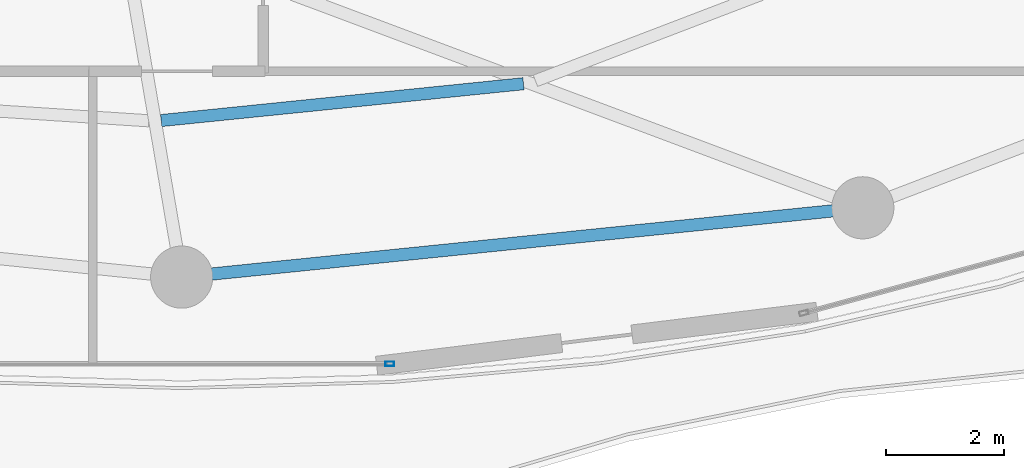
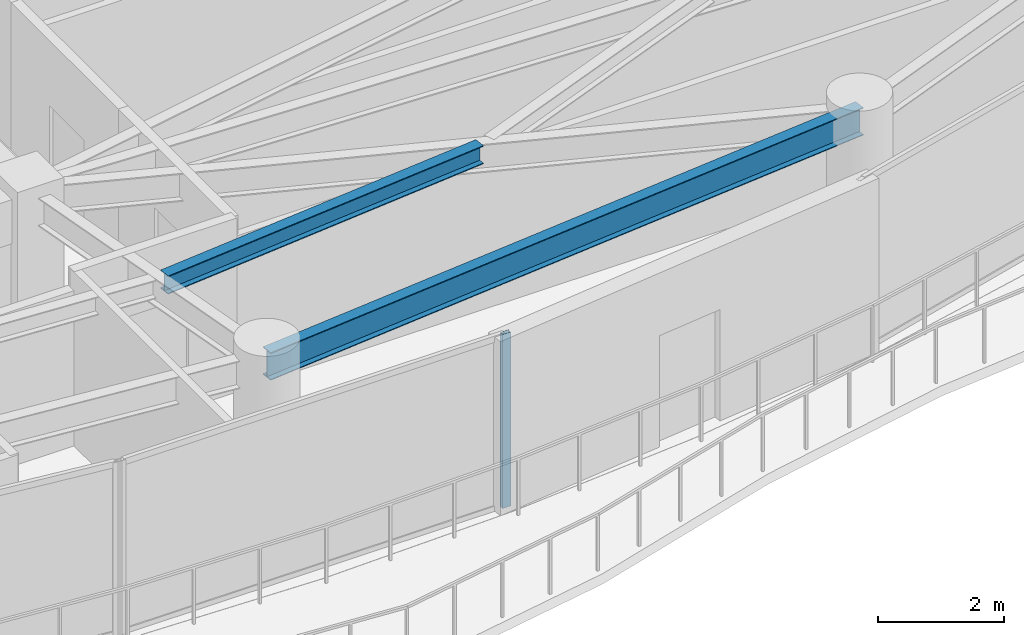
# One storey, part 10 of 31: 2 beams, 1 member, 1 element without a shape of its own.
"""IFC4 building model written with IfcOpenShell, lengths in metres."""

from ifc_helpers import new_model, si_unit, direction, frame, origin, origin_2d, place, context, subcontext, project, spatial, hollow_rectangle, i_section, extrude, material, layer, layer_set, material_profile, profile_set, type_object, element, aggregate, save


model = new_model("IFC4")

# Units and contexts
model_context = context("Model", 3, precision=1e-05, world=origin(), true_north=direction((0.0, 1.0)))
body_context = subcontext(model_context, "Body", "Model", "MODEL_VIEW")
ifc_project = project(units=[si_unit("LENGTHUNIT", "METRE"), si_unit("AREAUNIT", "SQUARE_METRE"), si_unit("VOLUMEUNIT", "CUBIC_METRE"), si_unit("PLANEANGLEUNIT", "RADIAN"), si_unit("MASSUNIT", "GRAM", prefix="KILO")], contexts=[model_context])

# Site, building, storey
site_placement = place(None, origin())
site = spatial("IfcSite", under=ifc_project, at=site_placement, CompositionType="ELEMENT")
building_placement = place(site_placement, origin())
building = spatial("IfcBuilding", under=site, at=building_placement, Name="Kazevale Care Tower and Concert Hall", CompositionType="ELEMENT")
storey_placement = place(building_placement, frame((0.0, 0.0, 206.39990234375)))
storey = spatial("IfcBuildingStorey", under=building, at=storey_placement, Name="L54", CompositionType="ELEMENT", Elevation=206.39990234375)

# Curtain wall, member
ifc_material_1 = material(Name="Aluminium 6063-T6 and Low-E Glass", Category="aluminium")
ifc_layer = layer(ifc_material_1, 0.179931640625)
ifc_layer_set = layer_set([ifc_layer], Name="Aluminium 6063-T6 and Low-E Glass")
curtain_wall_type = type_object("IfcCurtainWallType", Name="Sheltered Concave Balcony Curtain Wall CW-5", PredefinedType="NOTDEFINED", material=ifc_layer_set)
curtain_wall_placement = place(storey_placement, origin())
curtain_wall = element("IfcCurtainWall", 1, at=curtain_wall_placement, inside=storey, type_object=curtain_wall_type, Name="cw:L54:f06", PredefinedType="NOTDEFINED")
ifc_material_2 = material(Name="Aluminium 6063-T6", Category="aluminium")
ifc_material_profile_1 = material_profile(ifc_material_2, hollow_rectangle(XDim=0.074951171875, YDim=0.14990234375, WallThickness=0.00390625, at=origin_2d()), Name="ALU75x150x4")
ifc_profile_set_1 = profile_set([ifc_material_profile_1], Name="Aluminium 6063-T6")
member_type = type_object("IfcMemberType", Name="CW-5 Mullion ALU75x150x4", PredefinedType="MULLION", material=ifc_profile_set_1)
member_placement = place(storey_placement, frame((48.512451171875, 16.284912109375, 0.0), z_axis=(0.0, 0.0, 1.0), x_axis=(0.0, -1.0, 0.0)))
member = element("IfcMember", 2, at=member_placement, type_object=member_type, Name="CW-5 mullion 1", PredefinedType="MULLION", context=body_context, shape_type="SweptSolid", body=[
    extrude(hollow_rectangle(XDim=0.074951171875, YDim=0.14990234375, WallThickness=0.00390625, at=origin_2d()), origin(), (0.0, 0.0, 1.0), 3.360107421875),
])
aggregate(curtain_wall, [member])

# Beams
ifc_material_3 = material(Name="Steel ASTM A572 Gr 50", Category="steel")
ifc_material_profile_2 = material_profile(ifc_material_3, i_section(OverallWidth=0.205078125, OverallDepth=0.35400390625, WebThickness=0.009521484375, FlangeThickness=0.016845703125, at=origin_2d()), Name="W360x79")
ifc_profile_set_2 = profile_set([ifc_material_profile_2], Name="Steel ASTM A572 Gr 50")
beam_type_1 = type_object("IfcBeamType", Name="Secondary Floor Joist W360x79", PredefinedType="JOIST", material=ifc_profile_set_2)
beam_1_placement = place(storey_placement, frame((44.654052734375, 20.39306640625, 3.18310546875), z_axis=(0.994872697807, 0.10113513316, 0.0), x_axis=(-0.10113513316, 0.994872697807, 0.0)))
element("IfcBeam", 3, at=beam_1_placement, inside=storey, type_object=beam_type_1, Name="beam:L54:joist:13", PredefinedType="JOIST", context=body_context, shape_type="SweptSolid", body=[
    extrude(i_section(OverallWidth=0.205078125, OverallDepth=0.35400390625, WebThickness=0.009521484375, FlangeThickness=0.016845703125, at=origin_2d()), origin(), (0.0, 0.0, 1.0), 6.1484375),
])
ifc_material_profile_3 = material_profile(ifc_material_3, i_section(OverallWidth=0.208984375, OverallDepth=0.532958984375, WebThickness=0.01025390625, FlangeThickness=0.015625, at=origin_2d()), Name="W530x92")
ifc_profile_set_3 = profile_set([ifc_material_profile_3], Name="Steel ASTM A572 Gr 50")
beam_type_2 = type_object("IfcBeamType", Name="Upper Ring Beam W530x92", PredefinedType="BEAM", material=ifc_profile_set_3)
beam_2_placement = place(storey_placement, frame((45.0, 17.75, 3.093505859375), z_axis=(0.994865089307, 0.101209950492, 0.0), x_axis=(-0.101209950492, 0.994865089307, 0.0)))
element("IfcBeam", 4, at=beam_2_placement, inside=storey, type_object=beam_type_2, Name="beam:L54:ring:13", PredefinedType="BEAM", context=body_context, shape_type="SweptSolid", body=[
    extrude(i_section(OverallWidth=0.208984375, OverallDepth=0.532958984375, WebThickness=0.01025390625, FlangeThickness=0.015625, at=origin_2d()), origin(), (0.0, 0.0, 1.0), 11.559326171875),
])

save(model, "model.ifc")
